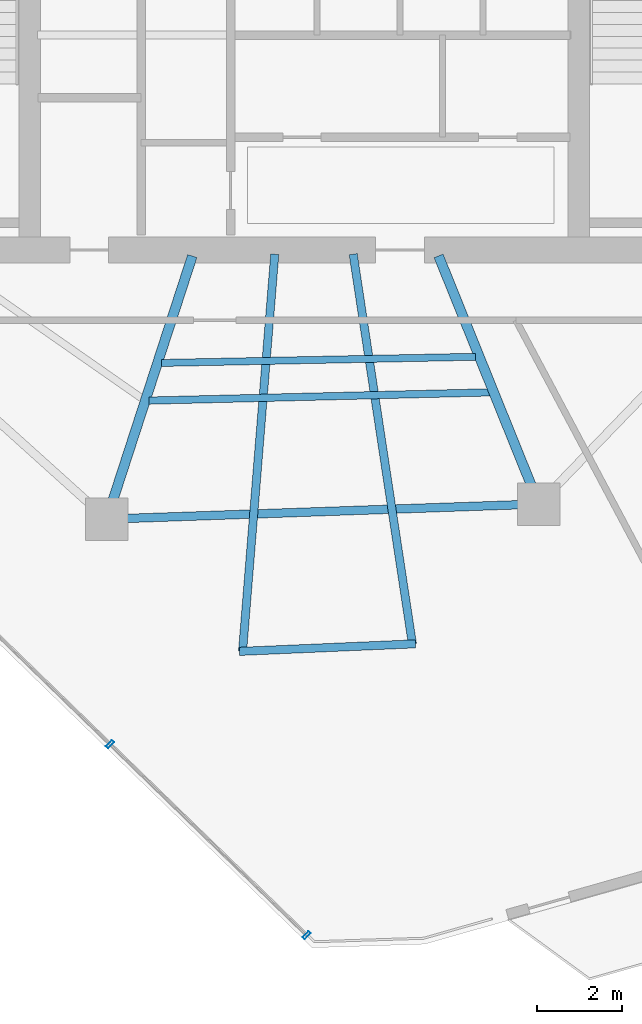
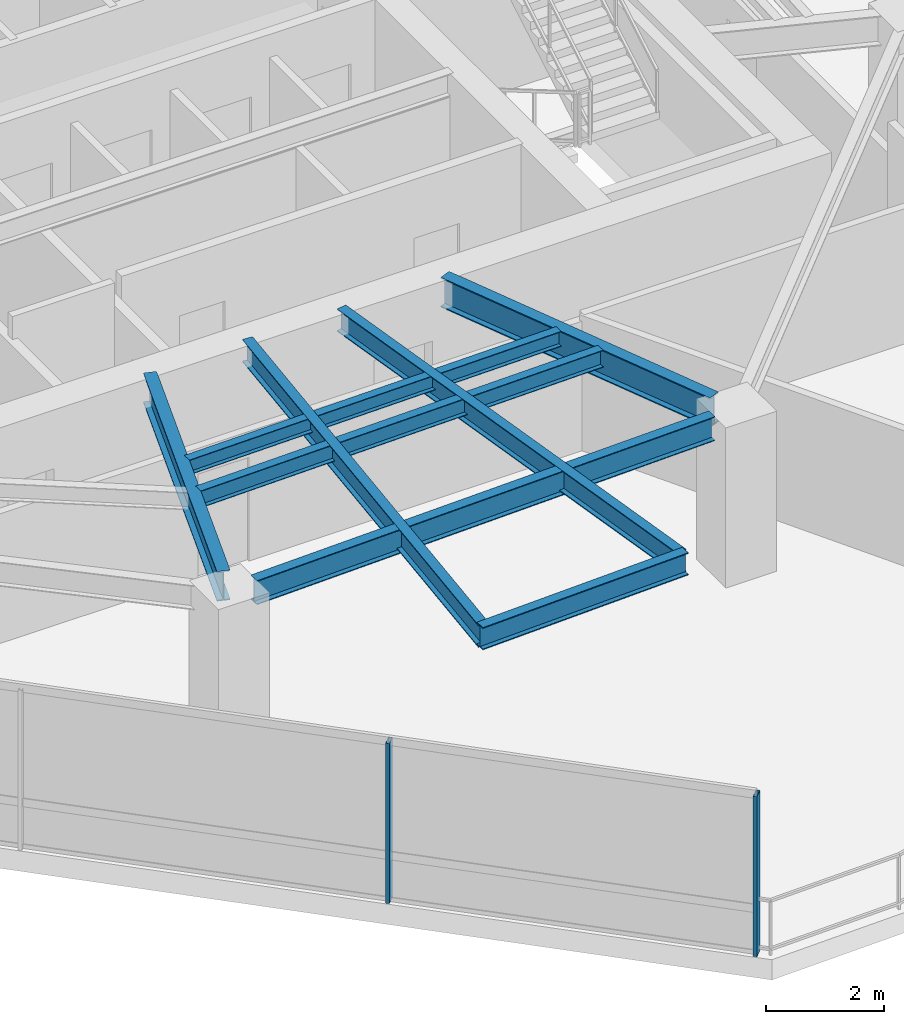
# One storey, part 3 of 19: 8 beams, 2 members, 1 element without a shape of its own.
"""IFC4 building model written with IfcOpenShell, lengths in metres."""

from ifc_helpers import new_model, si_unit, direction, frame, origin, origin_2d, place, context, subcontext, project, spatial, hollow_rectangle, i_section, extrude, material, layer, layer_set, material_profile, profile_set, type_object, element, aggregate, save


model = new_model("IFC4")

# Units and contexts
model_context = context("Model", 3, precision=1e-05, world=origin(), true_north=direction((0.0, 1.0)))
body_context = subcontext(model_context, "Body", "Model", "MODEL_VIEW")
ifc_project = project(units=[si_unit("LENGTHUNIT", "METRE"), si_unit("AREAUNIT", "SQUARE_METRE"), si_unit("VOLUMEUNIT", "CUBIC_METRE"), si_unit("PLANEANGLEUNIT", "RADIAN"), si_unit("MASSUNIT", "GRAM", prefix="KILO")], contexts=[model_context])

# Site, building, storey
site_placement = place(None, origin())
site = spatial("IfcSite", under=ifc_project, at=site_placement, CompositionType="ELEMENT")
building_placement = place(site_placement, origin())
building = spatial("IfcBuilding", under=site, at=building_placement, Name="Qarnah Convention Tower", CompositionType="ELEMENT")
storey_placement = place(building_placement, frame((0.0, 0.0, 125.699951171875)))
storey = spatial("IfcBuildingStorey", under=building, at=storey_placement, Name="L33", CompositionType="ELEMENT", Elevation=125.699951171875)

# Beams
ifc_material_1 = material(Name="Structural steel S355JR", Category="steel")
ifc_material_profile_1 = material_profile(ifc_material_1, i_section(OverallWidth=0.19189453125, OverallDepth=0.464111328125, WebThickness=0.010986328125, FlangeThickness=0.01806640625, at=origin_2d()), Name="W460X89")
ifc_profile_set_1 = profile_set([ifc_material_profile_1], Name="Structural steel S355JR")
beam_type_1 = type_object("IfcBeamType", Name="BM-CANT-W460A", PredefinedType="BEAM", material=ifc_profile_set_1)
beam_1_placement = place(storey_placement, frame((38.40087890625, 18.5009765625, 3.088134765625), z_axis=(0.150195006727, -0.988656391247, 0.0), x_axis=(0.988656391247, 0.150195006727, 0.0)))
element("IfcBeam", 1, at=beam_1_placement, inside=storey, type_object=beam_type_1, Name="L33 beam BM-L33-CNT-03-1", PredefinedType="BEAM", context=body_context, shape_type="SweptSolid", body=[
    extrude(i_section(OverallWidth=0.19189453125, OverallDepth=0.464111328125, WebThickness=0.010986328125, FlangeThickness=0.01806640625, at=origin_2d()), origin(), (0.0, 0.0, 1.0), 9.261962890625),
])
beam_2_placement = place(storey_placement, frame((36.55810546875, 18.5, 3.088134765625), z_axis=(-0.080897121946, -0.996722456685, 0.0), x_axis=(0.996722456685, -0.080897121946, 0.0)))
element("IfcBeam", 2, at=beam_2_placement, inside=storey, type_object=beam_type_1, Name="L33 beam BM-L33-CNT-03-2", PredefinedType="BEAM", context=body_context, shape_type="SweptSolid", body=[
    extrude(i_section(OverallWidth=0.19189453125, OverallDepth=0.464111328125, WebThickness=0.010986328125, FlangeThickness=0.01806640625, at=origin_2d()), origin(), (0.0, 0.0, 1.0), 9.358642578125),
])
beam_3_placement = place(storey_placement, frame((39.862060546875, 9.346923828125, 3.088134765625), z_axis=(-0.999073236436, -0.043042632785, 0.0), x_axis=(0.043042632785, -0.999073236436, 0.0)))
element("IfcBeam", 3, at=beam_3_placement, inside=storey, type_object=beam_type_1, Name="L33 spandrel BM-L33-CTIE-03", PredefinedType="SPANDREL", context=body_context, shape_type="SweptSolid", body=[
    extrude(i_section(OverallWidth=0.19189453125, OverallDepth=0.464111328125, WebThickness=0.010986328125, FlangeThickness=0.01806640625, at=origin_2d()), origin(), (0.0, 0.0, 1.0), 4.135009765625),
])
ifc_material_profile_2 = material_profile(ifc_material_1, i_section(OverallWidth=0.166015625, OverallDepth=0.31201171875, WebThickness=0.007080078125, FlangeThickness=0.010986328125, at=origin_2d()), Name="W310X45")
ifc_profile_set_2 = profile_set([ifc_material_profile_2], Name="Structural steel S355JR")
beam_type_2 = type_object("IfcBeamType", Name="BM-JST-W310", PredefinedType="JOIST", material=ifc_profile_set_2)
beam_4_placement = place(storey_placement, frame((33.89306640625, 15.946044921875, 3.1640625), z_axis=(0.999807032835, 0.019644263612, 0.0), x_axis=(-0.019644263612, 0.999807032835, 0.0)))
element("IfcBeam", 4, at=beam_4_placement, inside=storey, type_object=beam_type_2, Name="L33 joist BM-L33-IJST-07", PredefinedType="JOIST", context=body_context, shape_type="SweptSolid", body=[
    extrude(i_section(OverallWidth=0.166015625, OverallDepth=0.31201171875, WebThickness=0.007080078125, FlangeThickness=0.010986328125, at=origin_2d()), origin(), (0.0, 0.0, 1.0), 7.38232421875),
])
ifc_material_profile_3 = material_profile(ifc_material_1, i_section(OverallWidth=0.172119140625, OverallDepth=0.35595703125, WebThickness=0.007080078125, FlangeThickness=0.011962890625, at=origin_2d()), Name="W360X51")
ifc_profile_set_3 = profile_set([ifc_material_profile_3], Name="Structural steel S355JR")
beam_type_3 = type_object("IfcBeamType", Name="BM-JST-W360", PredefinedType="JOIST", material=ifc_profile_set_3)
beam_5_placement = place(storey_placement, frame((33.60498046875, 15.06103515625, 3.14208984375), z_axis=(0.999707078051, 0.024202439856, 0.0), x_axis=(-0.024202439856, 0.999707078051, 0.0)))
element("IfcBeam", 5, at=beam_5_placement, inside=storey, type_object=beam_type_3, Name="L33 joist BM-L33-SJST-07", PredefinedType="JOIST", context=body_context, shape_type="SweptSolid", body=[
    extrude(i_section(OverallWidth=0.172119140625, OverallDepth=0.35595703125, WebThickness=0.007080078125, FlangeThickness=0.011962890625, at=origin_2d()), origin(), (0.0, 0.0, 1.0), 8.009521484375),
])
ifc_material_profile_4 = material_profile(ifc_material_1, i_section(OverallWidth=0.22998046875, OverallDepth=0.617919921875, WebThickness=0.012939453125, FlangeThickness=0.02197265625, at=origin_2d()), Name="W610X140")
ifc_profile_set_4 = profile_set([ifc_material_profile_4], Name="Structural steel S355JR")
beam_type_4 = type_object("IfcBeamType", Name="BM-RAD-W610A", PredefinedType="BEAM", material=ifc_profile_set_4)
beam_6_placement = place(storey_placement, frame((34.6201171875, 18.45703125, 3.010986328125), z_axis=(-0.30919796314, -0.950997696942, 0.0), x_axis=(0.950997696942, -0.30919796314, 0.0)))
element("IfcBeam", 6, at=beam_6_placement, inside=storey, type_object=beam_type_4, Name="L33 beam BM-L33-RAD-07", PredefinedType="BEAM", context=body_context, shape_type="SweptSolid", body=[
    extrude(i_section(OverallWidth=0.22998046875, OverallDepth=0.617919921875, WebThickness=0.012939453125, FlangeThickness=0.02197265625, at=origin_2d()), origin(), (0.0, 0.0, 1.0), 6.01904296875),
])
beam_7_placement = place(storey_placement, frame((40.406982421875, 18.4609375, 3.010986328125), z_axis=(0.374656949885, -0.927163507642, 0.0), x_axis=(0.927163507642, 0.374656949885, 0.0)))
element("IfcBeam", 7, at=beam_7_placement, inside=storey, type_object=beam_type_4, Name="L33 beam BM-L33-RAD-08", PredefinedType="BEAM", context=body_context, shape_type="SweptSolid", body=[
    extrude(i_section(OverallWidth=0.22998046875, OverallDepth=0.617919921875, WebThickness=0.012939453125, FlangeThickness=0.02197265625, at=origin_2d()), origin(), (0.0, 0.0, 1.0), 5.80810546875),
])
ifc_material_profile_5 = material_profile(ifc_material_1, i_section(OverallWidth=0.199951171875, OverallDepth=0.5, WebThickness=0.010009765625, FlangeThickness=0.01611328125, at=origin_2d()), Name="IPE500")
ifc_profile_set_5 = profile_set([ifc_material_profile_5], Name="Structural steel S355JR")
beam_type_5 = type_object("IfcBeamType", Name="BM-SPN-IPE500", PredefinedType="SPANDREL", material=ifc_profile_set_5)
beam_8_placement = place(storey_placement, frame((33.10107421875, 12.2939453125, 3.070068359375), z_axis=(0.999391665003, 0.034875491717, 0.0), x_axis=(-0.034875491717, 0.999391665003, 0.0)))
element("IfcBeam", 8, at=beam_8_placement, inside=storey, type_object=beam_type_5, Name="L33 spandrel BM-L33-SPN-07", PredefinedType="SPANDREL", context=body_context, shape_type="SweptSolid", body=[
    extrude(i_section(OverallWidth=0.199951171875, OverallDepth=0.5, WebThickness=0.010009765625, FlangeThickness=0.01611328125, at=origin_2d()), origin(), (0.0, 0.0, 1.0), 9.177490234375),
])

# Curtain wall, members
ifc_material_2 = material(Name="Tempered Low-E dark glass", Category="glass")
ifc_layer = layer(ifc_material_2, 0.172119140625)
ifc_layer_set = layer_set([ifc_layer], Name="Tempered Low-E dark glass")
curtain_wall_type = type_object("IfcCurtainWallType", Name="CWS-03", PredefinedType="NOTDEFINED", material=ifc_layer_set)
curtain_wall_placement = place(storey_placement, origin())
curtain_wall = element("IfcCurtainWall", 9, at=curtain_wall_placement, inside=storey, type_object=curtain_wall_type, Name="L33 unitised curtain wall CW-L33-F1", PredefinedType="NOTDEFINED")
ifc_material_3 = material(Name="Black anodised aluminium", Category="aluminium")
ifc_material_profile_6 = material_profile(ifc_material_3, hollow_rectangle(XDim=0.070068359375, YDim=0.199951171875, WallThickness=0.0048828125, at=origin_2d()), Name="MUL-70X200")
ifc_profile_set_6 = profile_set([ifc_material_profile_6], Name="Black anodised aluminium")
member_type = type_object("IfcMemberType", Name="MUL-T3", PredefinedType="MULLION", material=ifc_profile_set_6)
member_1_placement = place(storey_placement, frame((37.305908203125, 2.5009765625, 0.0), z_axis=(0.0, 0.0, 1.0), x_axis=(-0.717389813993, 0.696671985068, 0.0)))
member_1 = element("IfcMember", 10, at=member_1_placement, type_object=member_type, Name="CW-L33-F1 mullion 1", PredefinedType="MULLION", context=body_context, shape_type="SweptSolid", body=[
    extrude(hollow_rectangle(XDim=0.070068359375, YDim=0.199951171875, WallThickness=0.0048828125, at=origin_2d()), origin(), (0.0, 0.0, 1.0), 3.320068359375),
])
member_2_placement = place(storey_placement, frame((32.686767578125, 6.98681640625, 0.0), z_axis=(0.0, 0.0, 1.0), x_axis=(-0.717389813993, 0.696671985068, 0.0)))
member_2 = element("IfcMember", 11, at=member_2_placement, type_object=member_type, Name="CW-L33-F1 mullion 2", PredefinedType="MULLION", context=body_context, shape_type="SweptSolid", body=[
    extrude(hollow_rectangle(XDim=0.070068359375, YDim=0.199951171875, WallThickness=0.0048828125, at=origin_2d()), origin(), (0.0, 0.0, 1.0), 3.320068359375),
])
aggregate(curtain_wall, [member_1, member_2])

save(model, "model.ifc")
